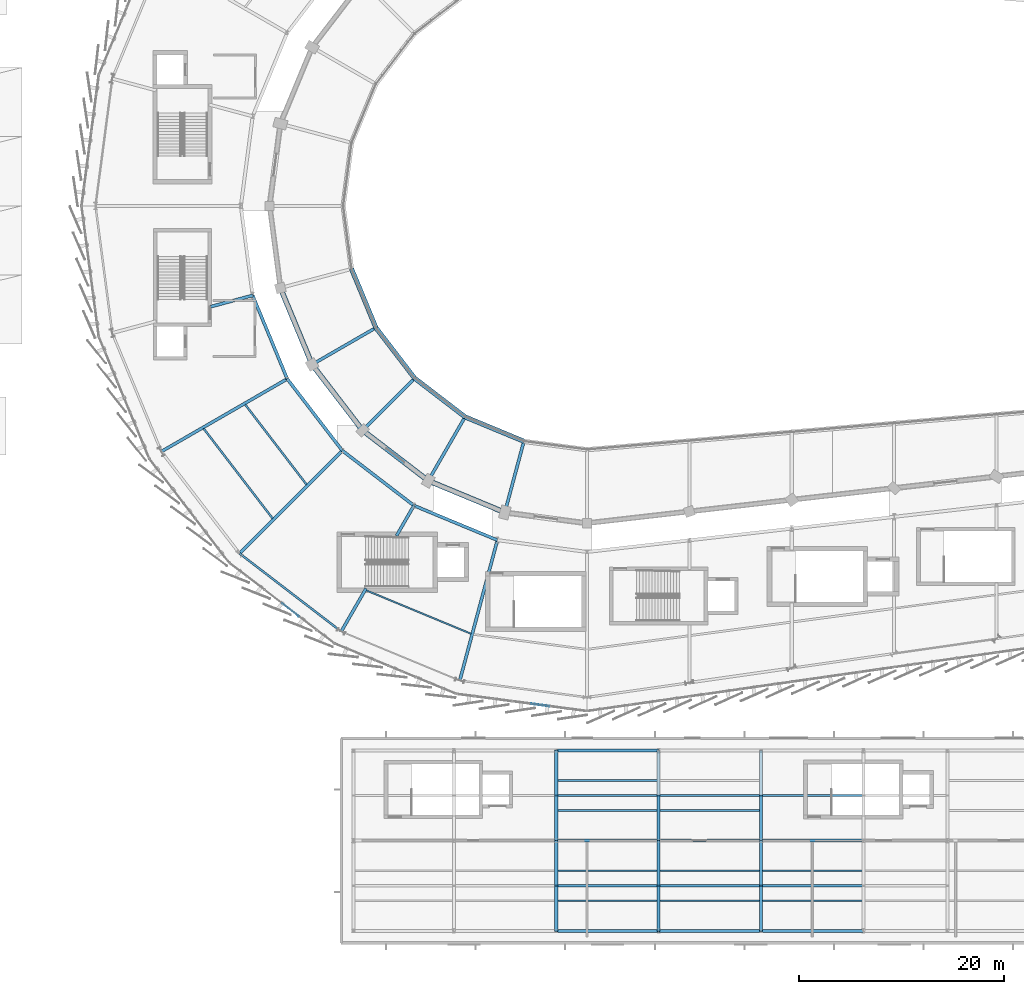
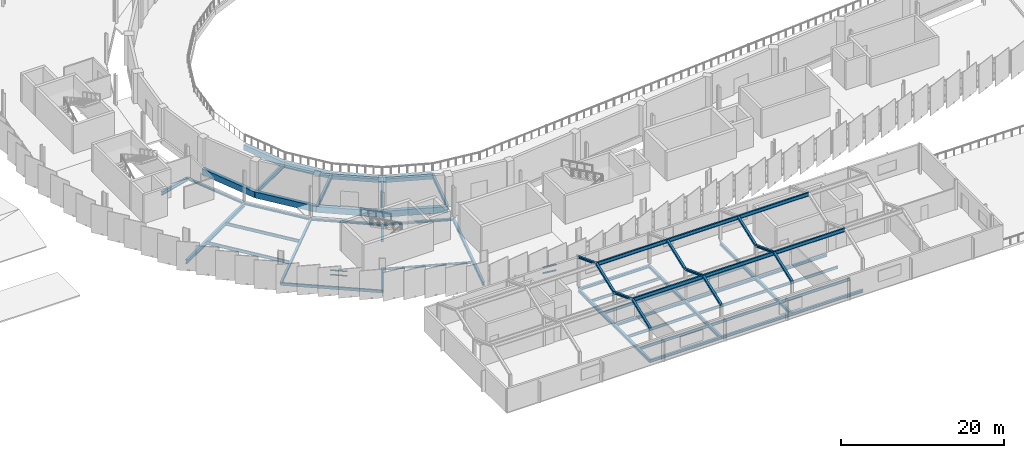
# One storey, part 19 of 87: 64 beams, 4 members, 2 elements without a shape of their own.
"""IFC4 building model written with IfcOpenShell, lengths in metres."""

import ifcopenshell
import ifcopenshell.guid

model = None  # the IFC model being written
_history = None  # IfcOwnerHistory: only IFC2X3 demands one
_inside = {}  # id of a spatial element -> (the spatial element, [elements in it])
_under = {}  # id of a project, library or spatial element -> (it, [spatial elements below it])
_declared = {}  # id of a project -> (the project, [libraries it declares])
_typed = {}  # id of a type object -> (the type object, [elements of that type])
_made_of = {}  # id of a material, layer set ... -> (it, [elements and type objects made of it])


def new_model(schema):
    """Start an empty IFC model of exactly this schema.

    Asked for "IFC4X3", IfcOpenShell would pick the latest addendum, in which some entities
    have other attributes; the version numbers below select the first issue.
    IFC2X3 requires an IfcOwnerHistory on every rooted entity: one is made here for all.
    """
    global model, _history
    if schema == "IFC4X3":
        model = ifcopenshell.file(schema_version=(4, 3, 0, 0))
    else:
        model = ifcopenshell.file(schema=schema)
    _inside.clear()
    _under.clear()
    _declared.clear()
    _typed.clear()
    _made_of.clear()
    _history = None
    if model.schema == "IFC2X3":
        org = make("IfcOrganization", Name="unknown")
        user = make(
            "IfcPersonAndOrganization",
            ThePerson=make("IfcPerson", FamilyName="unknown"),
            TheOrganization=org,
        )
        app = make(
            "IfcApplication",
            ApplicationDeveloper=org,
            Version="unknown",
            ApplicationFullName="unknown",
            ApplicationIdentifier="unknown",
        )
        _history = make(
            "IfcOwnerHistory",
            OwningUser=user,
            OwningApplication=app,
            ChangeAction="ADDED",
            CreationDate=0,
        )
    return model


def make(cls, **values):
    """One entity of the class cls with the attributes given. An attribute that is None is left unset."""
    return model.create_entity(
        cls, **{name: value for name, value in values.items() if value is not None}
    )


def rooted(cls, **values):
    """An entity with a GlobalId (a new one), such as an element, a storey or a relation."""
    return make(cls, GlobalId=ifcopenshell.guid.new(), OwnerHistory=_history, **values)


def si_unit(unit_type, name, prefix=None):
    """IfcSIUnit, for example si_unit("LENGTHUNIT", "METRE", prefix="MILLI")."""
    return make("IfcSIUnit", UnitType=unit_type, Prefix=prefix, Name=name)


def assignment(units):
    """IfcUnitAssignment: the units of a project."""
    return None if units is None else make("IfcUnitAssignment", Units=units)


def point(xyz):
    """IfcCartesianPoint."""
    return None if xyz is None else make("IfcCartesianPoint", Coordinates=xyz)


def direction(xyz):
    """IfcDirection."""
    return None if xyz is None else make("IfcDirection", DirectionRatios=xyz)


def frame(location, z_axis=None, x_axis=None):
    """IfcAxis2Placement3D, a coordinate frame: its origin and axes. An axis left out is left unset."""
    return make(
        "IfcAxis2Placement3D",
        Location=point(location),
        Axis=direction(z_axis),
        RefDirection=direction(x_axis),
    )


def frame_2d(location, x_axis=None):
    """IfcAxis2Placement2D, a coordinate frame in the plane: its origin and x axis."""
    return make(
        "IfcAxis2Placement2D", Location=point(location), RefDirection=direction(x_axis)
    )


def origin():
    """The frame at (0, 0, 0) with its axes left unset."""
    return frame((0.0, 0.0, 0.0))


def origin_2d():
    """The frame at (0, 0) in the plane with its x axis left unset."""
    return frame_2d((0.0, 0.0))


def place(relative_to, where):
    """IfcLocalPlacement: puts the frame where relative to a parent placement (None: the world)."""
    return make(
        "IfcLocalPlacement", PlacementRelTo=relative_to, RelativePlacement=where
    )


def context(
    kind, dimensions, precision=None, world=None, true_north=None, identifier=None
):
    """IfcGeometricRepresentationContext, for example the 3D "Model" context."""
    return make(
        "IfcGeometricRepresentationContext",
        ContextIdentifier=identifier,
        ContextType=kind,
        CoordinateSpaceDimension=dimensions,
        Precision=precision,
        WorldCoordinateSystem=world,
        TrueNorth=true_north,
    )


def subcontext(parent, identifier, kind, view, scale=None):
    """IfcGeometricRepresentationSubContext, for example "Body" below "Model"."""
    return make(
        "IfcGeometricRepresentationSubContext",
        ContextIdentifier=identifier,
        ContextType=kind,
        ParentContext=parent,
        TargetScale=scale,
        TargetView=view,
    )


def project(units=None, contexts=None):
    """IfcProject with its units and contexts."""
    return rooted(
        "IfcProject",
        Name="project",
        RepresentationContexts=contexts,
        UnitsInContext=assignment(units),
    )


def spatial(cls, under=None, at=None, **own):
    """A site, building, storey or space (cls), placed at a placement, below another one or the project."""
    s = rooted(cls, ObjectPlacement=at, **own)
    if under is not None:
        _under.setdefault(under.id(), (under, []))[1].append(s)
    return s


def profile(cls, at=None, kind="AREA", **sizes):
    """A parametric profile (cls). Its sizes go by their IFC names, for example OverallWidth=200.0."""
    return make(cls, ProfileType=kind, Position=at, **sizes)


def rectangle(**sizes):
    """IfcRectangleProfileDef."""
    return profile("IfcRectangleProfileDef", **sizes)


def hollow_rectangle(**sizes):
    """IfcRectangleHollowProfileDef."""
    return profile("IfcRectangleHollowProfileDef", **sizes)


def i_section(**sizes):
    """IfcIShapeProfileDef."""
    return profile("IfcIShapeProfileDef", **sizes)


def extrude(swept, where, along, depth):
    """IfcExtrudedAreaSolid: the profile swept, set in the frame where, extruded along a direction by depth."""
    return make(
        "IfcExtrudedAreaSolid",
        SweptArea=swept,
        Position=where,
        ExtrudedDirection=direction(along),
        Depth=depth,
    )


def shape(context_of_items, identifier, shape_type, items):
    """IfcShapeRepresentation: the items that make up one representation, for example the "Body"."""
    return make(
        "IfcShapeRepresentation",
        ContextOfItems=context_of_items,
        RepresentationIdentifier=identifier,
        RepresentationType=shape_type,
        Items=items,
    )


def material(Name=None, Category=None):
    """IfcMaterial."""
    return make("IfcMaterial", Name=Name, Category=Category)


def layer(
    of_material, thickness, ventilated=None, Name=None, Category=None, Priority=None
):
    """IfcMaterialLayer: one layer of a wall or slab, of a material (None: an air gap)."""
    return make(
        "IfcMaterialLayer",
        Material=of_material,
        LayerThickness=thickness,
        IsVentilated=ventilated,
        Name=Name,
        Category=Category,
        Priority=Priority,
    )


def layer_set(layers, Name=None):
    """IfcMaterialLayerSet."""
    return make("IfcMaterialLayerSet", MaterialLayers=layers, LayerSetName=Name)


def material_profile(
    of_material, cross_section, Name=None, Category=None, Priority=None
):
    """IfcMaterialProfile: a cross section and its material."""
    return make(
        "IfcMaterialProfile",
        Name=Name,
        Material=of_material,
        Profile=cross_section,
        Priority=Priority,
        Category=Category,
    )


def profile_set(profiles, Name=None, composite=None):
    """IfcMaterialProfileSet."""
    return make(
        "IfcMaterialProfileSet",
        Name=Name,
        MaterialProfiles=profiles,
        CompositeProfile=composite,
    )


def made_of(thing, what):
    """Note that an element or type object is made of a material, layer set ...; save() writes the relation."""
    if what is not None:
        _made_of.setdefault(what.id(), (what, []))[1].append(thing)
    return thing


def type_object(cls, material=None, **own):
    """A type object (cls), such as IfcWallType, which elements share."""
    return made_of(rooted(cls, **own), material)


def element(
    cls,
    number,
    at=None,
    inside=None,
    cuts=None,
    type_object=None,
    material=None,
    context=None,
    identifier="Body",
    shape_type=None,
    held_by="IfcProductDefinitionShape",
    body=None,
    shapes=None,
    **own,
):
    """One element of the class cls, such as IfcWall. Its Tag is "e" and its number.

    at: its placement. inside: the storey or other place that contains it. cuts: it is an
    opening in that element (IfcRelVoidsElement). A single representation is given by context,
    identifier, shape_type and body (its items); several are given by shapes. held_by: the class
    of the entity that holds the representations. save() writes the other relations.
    """
    e = rooted(cls, Tag="e%d" % number, ObjectPlacement=at, **own)
    if body is not None:
        shapes = [shape(context, identifier, shape_type, body)]
    if shapes is not None:
        e.Representation = make(held_by, Representations=shapes)
    if inside is not None:
        _inside.setdefault(inside.id(), (inside, []))[1].append(e)
    if cuts is not None:
        rooted(
            "IfcRelVoidsElement", RelatingBuildingElement=cuts, RelatedOpeningElement=e
        )
    if type_object is not None:
        _typed.setdefault(type_object.id(), (type_object, []))[1].append(e)
    return made_of(e, material)


def aggregate(whole, parts):
    """IfcRelAggregates: a whole, such as a stair, and the parts it consists of."""
    return rooted("IfcRelAggregates", RelatingObject=whole, RelatedObjects=parts)


def save(model, path):
    """Write the relations noted so far, then the file.

    IfcRelAggregates (storeys below a building ...), IfcRelContainedInSpatialStructure (elements
    in a storey), IfcRelDefinesByType, IfcRelAssociatesMaterial and IfcRelDeclares: one each for
    every whole, place, type object, material and project.
    """
    for whole, parts in _under.values():
        aggregate(whole, parts)
    for where, things in _inside.values():
        rooted(
            "IfcRelContainedInSpatialStructure",
            RelatedElements=things,
            RelatingStructure=where,
        )
    for kind, things in _typed.values():
        rooted("IfcRelDefinesByType", RelatedObjects=things, RelatingType=kind)
    for what, things in _made_of.values():
        rooted("IfcRelAssociatesMaterial", RelatedObjects=things, RelatingMaterial=what)
    for by, libraries in _declared.values():
        rooted("IfcRelDeclares", RelatingContext=by, RelatedDefinitions=libraries)
    model.write(path)


model = new_model("IFC4")

# Units and contexts
model_context = context("Model", 3, precision=1e-05, world=origin(), true_north=direction((0.0, 1.0)))
body_context = subcontext(model_context, "Body", "Model", "MODEL_VIEW")
ifc_project = project(units=[si_unit("LENGTHUNIT", "METRE"), si_unit("AREAUNIT", "SQUARE_METRE"), si_unit("VOLUMEUNIT", "CUBIC_METRE"), si_unit("PLANEANGLEUNIT", "RADIAN"), si_unit("MASSUNIT", "GRAM", prefix="KILO")], contexts=[model_context])

# Site, building, storey
site_placement = place(None, origin())
site = spatial("IfcSite", under=ifc_project, at=site_placement, CompositionType="ELEMENT")
building_placement = place(site_placement, origin())
building = spatial("IfcBuilding", under=site, at=building_placement, Name="Sohan Crest Arena", CompositionType="ELEMENT")
storey_placement = place(building_placement, frame((0.0, 0.0, 18.0)))
storey = spatial("IfcBuildingStorey", under=building, at=storey_placement, Name="L04", CompositionType="ELEMENT", Elevation=18.0)

# Curtain wall, members
ifc_material_1 = material(Name="Thermally broken anodised aluminium", Category="aluminium")
ifc_layer_1 = layer(ifc_material_1, 0.239990234375, Name="Thermally broken anodised aluminium")
ifc_layer_set_1 = layer_set([ifc_layer_1], Name="Thermally broken anodised aluminium")
curtain_wall_type_1 = type_object("IfcCurtainWallType", Name="ARC-CW04", PredefinedType="NOTDEFINED", material=ifc_layer_set_1)
curtain_wall_1_placement = place(storey_placement, origin())
curtain_wall_1 = element("IfcCurtainWall", 1, at=curtain_wall_1_placement, inside=storey, type_object=curtain_wall_type_1, Name="Unitised curtain wall CW-121", PredefinedType="NOTDEFINED")
ifc_material_profile_1 = material_profile(ifc_material_1, rectangle(XDim=0.06005859375, YDim=0.1201171875, at=origin_2d()), Name="ALU-TRAN 60x120")
ifc_profile_set_1 = profile_set([ifc_material_profile_1], Name="Thermally broken anodised aluminium")
member_type_1 = type_object("IfcMemberType", Name="ARC-CW-TR01", PredefinedType="USERDEFINED", material=ifc_profile_set_1)
member_1_placement = place(storey_placement, frame((68.240234375, 39.163330078125, 2.419921875), z_axis=(0.793381749206, -0.608724404001, 0.0), x_axis=(0.608724404001, 0.793381749206, 0.0)))
member_1 = element("IfcMember", 2, at=member_1_placement, type_object=member_type_1, Name="CW-121 transom 4.3", ObjectType="TRANSOM", PredefinedType="USERDEFINED", context=body_context, shape_type="SweptSolid", body=[
    extrude(rectangle(XDim=0.06005859375, YDim=0.1201171875, at=origin_2d()), origin(), (0.0, 0.0, 1.0), 2.082275390625),
])
member_2_placement = place(storey_placement, frame((68.240234375, 39.163330078125, 3.090087890625), z_axis=(0.793381749206, -0.608724404001, 0.0), x_axis=(0.608724404001, 0.793381749206, 0.0)))
member_2 = element("IfcMember", 3, at=member_2_placement, type_object=member_type_1, Name="CW-121 transom 4.4", ObjectType="TRANSOM", PredefinedType="USERDEFINED", context=body_context, shape_type="SweptSolid", body=[
    extrude(rectangle(XDim=0.06005859375, YDim=0.1201171875, at=origin_2d()), origin(), (0.0, 0.0, 1.0), 2.082275390625),
])
aggregate(curtain_wall_1, [member_1, member_2])

ifc_layer_2 = layer(ifc_material_1, 0.2099609375, Name="Thermally broken anodised aluminium")
ifc_layer_set_2 = layer_set([ifc_layer_2], Name="Thermally broken anodised aluminium")
curtain_wall_type_2 = type_object("IfcCurtainWallType", Name="ARC-CW06", PredefinedType="NOTDEFINED", material=ifc_layer_set_2)
curtain_wall_2_placement = place(storey_placement, origin())
curtain_wall_2 = element("IfcCurtainWall", 4, at=curtain_wall_2_placement, inside=storey, type_object=curtain_wall_type_2, Name="Unitised curtain wall CW-123", PredefinedType="NOTDEFINED")
ifc_material_profile_2 = material_profile(ifc_material_1, rectangle(XDim=0.070068359375, YDim=0.14990234375, at=origin_2d()), Name="ALU-TRAN 70x150")
ifc_profile_set_2 = profile_set([ifc_material_profile_2], Name="Thermally broken anodised aluminium")
member_type_2 = type_object("IfcMemberType", Name="ARC-CW-TR03", PredefinedType="USERDEFINED", material=ifc_profile_set_2)
member_3_placement = place(storey_placement, frame((92.56298828125, 29.365966796875, 0.034912109375), z_axis=(0.99144393814, -0.130533204687, 0.0), x_axis=(0.130533204687, 0.99144393814, 0.0)))
member_3 = element("IfcMember", 5, at=member_3_placement, type_object=member_type_2, Name="CW-123 transom 5.1", ObjectType="TRANSOM", PredefinedType="USERDEFINED", context=body_context, shape_type="SweptSolid", body=[
    extrude(rectangle(XDim=0.070068359375, YDim=0.14990234375, at=origin_2d()), origin(), (0.0, 0.0, 1.0), 1.765625),
])
member_4_placement = place(storey_placement, frame((92.56298828125, 29.365966796875, 0.89990234375), z_axis=(0.99144393814, -0.130533204687, 0.0), x_axis=(0.130533204687, 0.99144393814, 0.0)))
member_4 = element("IfcMember", 6, at=member_4_placement, type_object=member_type_2, Name="CW-123 transom 5.2", ObjectType="TRANSOM", PredefinedType="USERDEFINED", context=body_context, shape_type="SweptSolid", body=[
    extrude(rectangle(XDim=0.070068359375, YDim=0.14990234375, at=origin_2d()), origin(), (0.0, 0.0, 1.0), 1.765625),
])
aggregate(curtain_wall_2, [member_3, member_4])

# Beams
ifc_material_2 = material(Name="Steel S355", Category="steel")
ifc_material_profile_3 = material_profile(ifc_material_2, i_section(OverallWidth=0.14990234375, OverallDepth=0.300048828125, WebThickness=0.007080078125, FlangeThickness=0.0107421875, at=origin_2d()), Name="IPE 300")
ifc_profile_set_3 = profile_set([ifc_material_profile_3], Name="Steel S355")
beam_type_1 = type_object("IfcBeamType", Name="STR-BM-B01", PredefinedType="JOIST", material=ifc_profile_set_3)
beam_1_placement = place(storey_placement, frame((76.445068359375, 40.447021484375, -0.39990234375), z_axis=(0.923874316241, -0.382696025312, 0.0), x_axis=(0.382696025312, 0.923874316241, 0.0)))
element("IfcBeam", 7, at=beam_1_placement, inside=storey, type_object=beam_type_1, Name="Structural beam J-L04-1596", PredefinedType="JOIST", context=body_context, shape_type="SweptSolid", body=[
    extrude(i_section(OverallWidth=0.14990234375, OverallDepth=0.300048828125, WebThickness=0.007080078125, FlangeThickness=0.0107421875, at=origin_2d()), origin(), (0.0, 0.0, 1.0), 11.0869140625),
])
ifc_material_profile_4 = material_profile(ifc_material_2, i_section(OverallWidth=0.179931640625, OverallDepth=0.39990234375, WebThickness=0.008544921875, FlangeThickness=0.013427734375, at=origin_2d()), Name="IPE 400")
ifc_profile_set_4 = profile_set([ifc_material_profile_4], Name="Steel S355")
beam_type_2 = type_object("IfcBeamType", Name="STR-BM-B03", PredefinedType="JOIST", material=ifc_profile_set_4)
for number, where, z_axis, x_axis, name in (
    (8, (95.110107421875, 10.133056640625, -0.449951171875), (1.0, 0.0, 0.0), (0.0, 1.0, 0.0), "Structural beam J-L04-2799"),
    (9, (95.110107421875, 13.06689453125, -0.449951171875), (1.0, 0.0, 0.0), (0.0, 1.0, 0.0), "Structural beam J-L04-2800"),
    (10, (105.110107421875, 10.133056640625, -0.449951171875), (1.0, 0.0, 0.0), (0.0, 1.0, 0.0), "Structural beam J-L04-2802"),
    (11, (105.110107421875, 13.06689453125, -0.449951171875), (1.0, 0.0, 0.0), (0.0, 1.0, 0.0), "Structural beam J-L04-2803"),
    (12, (115.110107421875, 10.133056640625, -0.449951171875), (1.0, 0.0, 0.0), (0.0, 1.0, 0.0), "Structural beam J-L04-2805"),
    (13, (115.110107421875, 13.06689453125, -0.449951171875), (1.0, 0.0, 0.0), (0.0, 1.0, 0.0), "Structural beam J-L04-2806"),
    (14, (95.110107421875, 18.93310546875, -0.449951171875), (1.0, 0.0, 0.0), (0.0, 1.0, 0.0), "Structural beam J-L04-2822"),
    (15, (95.110107421875, 21.866943359375, -0.449951171875), (1.0, 0.0, 0.0), (0.0, 1.0, 0.0), "Structural beam J-L04-2823"),
    (16, (105.110107421875, 18.93310546875, -0.449951171875), (1.0, 0.0, 0.0), (0.0, 1.0, 0.0), "Structural beam J-L04-2825"),
):
    element("IfcBeam", number, at=place(storey_placement, frame(where, z_axis=z_axis, x_axis=x_axis)), inside=storey, type_object=beam_type_2, Name=name, PredefinedType="JOIST", context=body_context, shape_type="SweptSolid", body=[
        extrude(i_section(OverallWidth=0.179931640625, OverallDepth=0.39990234375, WebThickness=0.008544921875, FlangeThickness=0.013427734375, at=origin_2d()), origin(), (0.0, 0.0, 1.0), 9.77978515625),
    ])
ifc_material_profile_5 = material_profile(ifc_material_2, i_section(OverallWidth=0.18994140625, OverallDepth=0.449951171875, WebThickness=0.009521484375, FlangeThickness=0.0146484375, at=origin_2d()), Name="IPE 450")
ifc_profile_set_5 = profile_set([ifc_material_profile_5], Name="Steel S355")
beam_type_3 = type_object("IfcBeamType", Name="STR-BM-B04", PredefinedType="JOIST", material=ifc_profile_set_5)
beam_2_placement = place(storey_placement, frame((64.614013671875, 58.59912109375, -0.47509765625), z_axis=(0.608739091659, -0.793370479843, 0.0), x_axis=(0.793370479843, 0.608739091659, 0.0)))
element("IfcBeam", 17, at=beam_2_placement, inside=storey, type_object=beam_type_3, Name="Structural beam J-L04-1587", PredefinedType="JOIST", context=body_context, shape_type="SweptSolid", body=[
    extrude(i_section(OverallWidth=0.18994140625, OverallDepth=0.449951171875, WebThickness=0.009521484375, FlangeThickness=0.0146484375, at=origin_2d()), origin(), (0.0, 0.0, 1.0), 9.864501953125),
])
beam_3_placement = place(storey_placement, frame((60.555908203125, 56.256103515625, -0.47509765625), z_axis=(0.608788813613, -0.793332326594, 0.0), x_axis=(0.793332326594, 0.608788813613, 0.0)))
element("IfcBeam", 18, at=beam_3_placement, inside=storey, type_object=beam_type_3, Name="Structural beam J-L04-1588", PredefinedType="JOIST", context=body_context, shape_type="SweptSolid", body=[
    extrude(i_section(OverallWidth=0.18994140625, OverallDepth=0.449951171875, WebThickness=0.009521484375, FlangeThickness=0.0146484375, at=origin_2d()), origin(), (0.0, 0.0, 1.0), 11.087646484375),
])
ifc_material_profile_6 = material_profile(ifc_material_2, i_section(OverallWidth=0.2099609375, OverallDepth=0.550048828125, WebThickness=0.010986328125, FlangeThickness=0.01708984375, at=origin_2d()), Name="IPE 550")
ifc_profile_set_6 = profile_set([ifc_material_profile_6], Name="Steel S355")
beam_type_4 = type_object("IfcBeamType", Name="STR-BM-B06", PredefinedType="BEAM", material=ifc_profile_set_6)
for number, where, z_axis, x_axis, name in (
    (19, (95.0, 11.60009765625, 5.988037109375), (1.0, 0.0, 0.0), (0.0, 1.0, 0.0), "Structural beam BVP-L04-3211"),
    (20, (105.0, 11.60009765625, 5.988037109375), (1.0, 0.0, 0.0), (0.0, 1.0, 0.0), "Structural beam BVP-L04-3212"),
    (21, (115.0, 11.60009765625, 5.988037109375), (1.0, 0.0, 0.0), (0.0, 1.0, 0.0), "Structural beam BVP-L04-3213"),
    (22, (95.0, 20.39990234375, 5.988037109375), (1.0, 0.0, 0.0), (0.0, 1.0, 0.0), "Structural beam BVP-L04-3231"),
    (23, (105.0, 20.39990234375, 5.988037109375), (1.0, 0.0, 0.0), (0.0, 1.0, 0.0), "Structural beam BVP-L04-3232"),
    (24, (115.0, 20.39990234375, 5.988037109375), (1.0, 0.0, 0.0), (0.0, 1.0, 0.0), "Structural beam BVP-L04-3233"),
):
    element("IfcBeam", number, at=place(storey_placement, frame(where, z_axis=z_axis, x_axis=x_axis)), inside=storey, type_object=beam_type_4, Name=name, PredefinedType="BEAM", context=body_context, shape_type="SweptSolid", body=[
        extrude(i_section(OverallWidth=0.2099609375, OverallDepth=0.550048828125, WebThickness=0.010986328125, FlangeThickness=0.01708984375, at=origin_2d()), origin(), (0.0, 0.0, 1.0), 10.0),
    ])
ifc_material_profile_7 = material_profile(ifc_material_2, i_section(OverallWidth=0.300048828125, OverallDepth=0.2900390625, WebThickness=0.008544921875, FlangeThickness=0.013916015625, at=origin_2d()), Name="HEA 300")
ifc_profile_set_7 = profile_set([ifc_material_profile_7], Name="Steel S355")
beam_type_5 = type_object("IfcBeamType", Name="STR-BM-B08", PredefinedType="BEAM", material=ifc_profile_set_7)
beam_4_placement = place(storey_placement, frame((95.0, 7.199951171875, 4.419921875), z_axis=(0.0, 0.93562113017, 0.35300580842), x_axis=(-1.0, 0.0, 0.0)))
element("IfcBeam", 25, at=beam_4_placement, inside=storey, type_object=beam_type_5, Name="Structural beam BVA-L04-3199", PredefinedType="BEAM", context=body_context, shape_type="SweptSolid", body=[
    extrude(i_section(OverallWidth=0.300048828125, OverallDepth=0.2900390625, WebThickness=0.008544921875, FlangeThickness=0.013916015625, at=origin_2d()), origin(), (0.0, 0.0, 1.0), 4.702880859375),
])
beam_5_placement = place(storey_placement, frame((95.0, 11.60009765625, 6.080078125), z_axis=(0.0, 0.935614660707, -0.353022954878), x_axis=(-1.0, 0.0, 0.0)))
element("IfcBeam", 26, at=beam_5_placement, inside=storey, type_object=beam_type_5, Name="Structural beam BVA-L04-3200", PredefinedType="BEAM", context=body_context, shape_type="SweptSolid", body=[
    extrude(i_section(OverallWidth=0.300048828125, OverallDepth=0.2900390625, WebThickness=0.008544921875, FlangeThickness=0.013916015625, at=origin_2d()), origin(), (0.0, 0.0, 1.0), 4.70263671875),
])
beam_6_placement = place(storey_placement, frame((105.0, 7.199951171875, 4.419921875), z_axis=(0.0, 0.93562113017, 0.35300580842), x_axis=(-1.0, 0.0, 0.0)))
element("IfcBeam", 27, at=beam_6_placement, inside=storey, type_object=beam_type_5, Name="Structural beam BVA-L04-3201", PredefinedType="BEAM", context=body_context, shape_type="SweptSolid", body=[
    extrude(i_section(OverallWidth=0.300048828125, OverallDepth=0.2900390625, WebThickness=0.008544921875, FlangeThickness=0.013916015625, at=origin_2d()), origin(), (0.0, 0.0, 1.0), 4.702880859375),
])
beam_7_placement = place(storey_placement, frame((105.0, 11.60009765625, 6.080078125), z_axis=(0.0, 0.935614660707, -0.353022954878), x_axis=(-1.0, 0.0, 0.0)))
element("IfcBeam", 28, at=beam_7_placement, inside=storey, type_object=beam_type_5, Name="Structural beam BVA-L04-3202", PredefinedType="BEAM", context=body_context, shape_type="SweptSolid", body=[
    extrude(i_section(OverallWidth=0.300048828125, OverallDepth=0.2900390625, WebThickness=0.008544921875, FlangeThickness=0.013916015625, at=origin_2d()), origin(), (0.0, 0.0, 1.0), 4.70263671875),
])
beam_8_placement = place(storey_placement, frame((115.0, 7.199951171875, 4.419921875), z_axis=(0.0, 0.93562113017, 0.35300580842), x_axis=(-1.0, 0.0, 0.0)))
element("IfcBeam", 29, at=beam_8_placement, inside=storey, type_object=beam_type_5, Name="Structural beam BVA-L04-3203", PredefinedType="BEAM", context=body_context, shape_type="SweptSolid", body=[
    extrude(i_section(OverallWidth=0.300048828125, OverallDepth=0.2900390625, WebThickness=0.008544921875, FlangeThickness=0.013916015625, at=origin_2d()), origin(), (0.0, 0.0, 1.0), 4.702880859375),
])
for number, where, z_axis, x_axis, name in (
    (30, (115.0, 11.60009765625, 6.080078125), (0.0, 0.935614660707, -0.353022954878), (-1.0, 0.0, 0.0), "Structural beam BVA-L04-3204"),
    (31, (95.0, 16.0, 4.419921875), (0.0, 0.935614660707, 0.353022954878), (-1.0, 0.0, 0.0), "Structural beam BVA-L04-3219"),
):
    element("IfcBeam", number, at=place(storey_placement, frame(where, z_axis=z_axis, x_axis=x_axis)), inside=storey, type_object=beam_type_5, Name=name, PredefinedType="BEAM", context=body_context, shape_type="SweptSolid", body=[
        extrude(i_section(OverallWidth=0.300048828125, OverallDepth=0.2900390625, WebThickness=0.008544921875, FlangeThickness=0.013916015625, at=origin_2d()), origin(), (0.0, 0.0, 1.0), 4.70263671875),
    ])
beam_9_placement = place(storey_placement, frame((95.0, 20.39990234375, 6.080078125), z_axis=(0.0, 0.93562113017, -0.35300580842), x_axis=(-1.0, 0.0, 0.0)))
element("IfcBeam", 32, at=beam_9_placement, inside=storey, type_object=beam_type_5, Name="Structural beam BVA-L04-3220", PredefinedType="BEAM", context=body_context, shape_type="SweptSolid", body=[
    extrude(i_section(OverallWidth=0.300048828125, OverallDepth=0.2900390625, WebThickness=0.008544921875, FlangeThickness=0.013916015625, at=origin_2d()), origin(), (0.0, 0.0, 1.0), 4.702880859375),
])
for number, where, z_axis, x_axis, name in (
    (33, (105.0, 16.0, 4.419921875), (0.0, 0.935614660707, 0.353022954878), (-1.0, 0.0, 0.0), "Structural beam BVA-L04-3221"),
    (34, (115.0, 16.0, 4.419921875), (0.0, 0.935614660707, 0.353022954878), (-1.0, 0.0, 0.0), "Structural beam BVA-L04-3223"),
):
    element("IfcBeam", number, at=place(storey_placement, frame(where, z_axis=z_axis, x_axis=x_axis)), inside=storey, type_object=beam_type_5, Name=name, PredefinedType="BEAM", context=body_context, shape_type="SweptSolid", body=[
        extrude(i_section(OverallWidth=0.300048828125, OverallDepth=0.2900390625, WebThickness=0.008544921875, FlangeThickness=0.013916015625, at=origin_2d()), origin(), (0.0, 0.0, 1.0), 4.70263671875),
    ])
ifc_material_profile_8 = material_profile(ifc_material_2, i_section(OverallWidth=0.300048828125, OverallDepth=0.389892578125, WebThickness=0.010986328125, FlangeThickness=0.01904296875, at=origin_2d()), Name="HEA 400")
ifc_profile_set_8 = profile_set([ifc_material_profile_8], Name="Steel S355")
beam_type_6 = type_object("IfcBeamType", Name="STR-BM-B09", PredefinedType="BEAM", material=ifc_profile_set_8)
for number, where, z_axis, x_axis, name in (
    (35, (95.0, 7.199951171875, -0.445068359375), (1.0, 0.0, 0.0), (0.0, 1.0, 0.0), "Structural beam G-L04-2798"),
    (36, (105.0, 7.199951171875, -0.445068359375), (1.0, 0.0, 0.0), (0.0, 1.0, 0.0), "Structural beam G-L04-2801"),
    (37, (115.0, 7.199951171875, -0.445068359375), (1.0, 0.0, 0.0), (0.0, 1.0, 0.0), "Structural beam G-L04-2804"),
    (38, (95.0, 16.0, -0.445068359375), (1.0, 0.0, 0.0), (0.0, 1.0, 0.0), "Structural beam G-L04-2821"),
    (39, (105.0, 16.0, -0.445068359375), (1.0, 0.0, 0.0), (0.0, 1.0, 0.0), "Structural beam G-L04-2824"),
    (40, (115.0, 16.0, -0.445068359375), (1.0, 0.0, 0.0), (0.0, 1.0, 0.0), "Structural beam G-L04-2827"),
    (41, (95.0, 24.800048828125, -0.445068359375), (1.0, 0.0, 0.0), (0.0, 1.0, 0.0), "Structural beam G-L04-2840"),
):
    element("IfcBeam", number, at=place(storey_placement, frame(where, z_axis=z_axis, x_axis=x_axis)), inside=storey, type_object=beam_type_6, Name=name, PredefinedType="BEAM", context=body_context, shape_type="SweptSolid", body=[
        extrude(i_section(OverallWidth=0.300048828125, OverallDepth=0.389892578125, WebThickness=0.010986328125, FlangeThickness=0.01904296875, at=origin_2d()), origin(), (0.0, 0.0, 1.0), 10.0),
    ])
ifc_material_profile_9 = material_profile(ifc_material_2, i_section(OverallWidth=0.300048828125, OverallDepth=0.489990234375, WebThickness=0.011962890625, FlangeThickness=0.02294921875, at=origin_2d()), Name="HEA 500")
ifc_profile_set_9 = profile_set([ifc_material_profile_9], Name="Steel S355")
beam_type_7 = type_object("IfcBeamType", Name="STR-BM-B10", PredefinedType="BEAM", material=ifc_profile_set_9)
for number, where, z_axis, x_axis, name in (
    (42, (95.0, 7.199951171875, -0.4951171875), (0.0, 1.0, 0.0), (-1.0, 0.0, 0.0), "Structural beam G-L04-2775"),
    (43, (95.0, 16.0, -0.4951171875), (0.0, 1.0, 0.0), (-1.0, 0.0, 0.0), "Structural beam G-L04-2776"),
    (44, (105.0, 7.199951171875, -0.4951171875), (0.0, 1.0, 0.0), (-1.0, 0.0, 0.0), "Structural beam G-L04-2777"),
    (45, (105.0, 16.0, -0.4951171875), (0.0, 1.0, 0.0), (-1.0, 0.0, 0.0), "Structural beam G-L04-2778"),
    (46, (115.0, 7.199951171875, -0.4951171875), (0.0, 1.0, 0.0), (-1.0, 0.0, 0.0), "Structural beam G-L04-2779"),
    (47, (115.0, 16.0, -0.4951171875), (0.0, 1.0, 0.0), (-1.0, 0.0, 0.0), "Structural beam G-L04-2780"),
):
    element("IfcBeam", number, at=place(storey_placement, frame(where, z_axis=z_axis, x_axis=x_axis)), inside=storey, type_object=beam_type_7, Name=name, PredefinedType="BEAM", context=body_context, shape_type="SweptSolid", body=[
        extrude(i_section(OverallWidth=0.300048828125, OverallDepth=0.489990234375, WebThickness=0.011962890625, FlangeThickness=0.02294921875, at=origin_2d()), origin(), (0.0, 0.0, 1.0), 8.800048828125),
    ])
ifc_material_profile_10 = material_profile(ifc_material_2, i_section(OverallWidth=0.300048828125, OverallDepth=0.590087890625, WebThickness=0.012939453125, FlangeThickness=0.02490234375, at=origin_2d()), Name="HEA 600")
ifc_profile_set_10 = profile_set([ifc_material_profile_10], Name="Steel S355")
beam_type_8 = type_object("IfcBeamType", Name="STR-BM-B11", PredefinedType="BEAM", material=ifc_profile_set_10)
beam_10_placement = place(storey_placement, frame((77.388916015625, 66.10009765625, -0.544921875), z_axis=(-0.866035395735, -0.499982693035, 0.0), x_axis=(0.499982693035, -0.866035395735, 0.0)))
element("IfcBeam", 48, at=beam_10_placement, inside=storey, type_object=beam_type_8, Name="Structural beam G-L04-0254", PredefinedType="BEAM", context=body_context, shape_type="SweptSolid", body=[
    extrude(i_section(OverallWidth=0.300048828125, OverallDepth=0.590087890625, WebThickness=0.012939453125, FlangeThickness=0.02490234375, at=origin_2d()), origin(), (0.0, 0.0, 1.0), 7.200439453125),
])
beam_11_placement = place(storey_placement, frame((81.1708984375, 61.1708984375, -0.544921875), z_axis=(-0.707106781187, -0.707106781187, 0.0), x_axis=(0.707106781187, -0.707106781187, 0.0)))
element("IfcBeam", 49, at=beam_11_placement, inside=storey, type_object=beam_type_8, Name="Structural beam G-L04-0276", PredefinedType="BEAM", context=body_context, shape_type="SweptSolid", body=[
    extrude(i_section(OverallWidth=0.300048828125, OverallDepth=0.590087890625, WebThickness=0.012939453125, FlangeThickness=0.02490234375, at=origin_2d()), origin(), (0.0, 0.0, 1.0), 7.199462890625),
])
beam_12_placement = place(storey_placement, frame((86.10009765625, 57.388916015625, -0.544921875), z_axis=(-0.499982693035, -0.866035395735, 0.0), x_axis=(0.866035395735, -0.499982693035, 0.0)))
element("IfcBeam", 50, at=beam_12_placement, inside=storey, type_object=beam_type_8, Name="Structural beam G-L04-0298", PredefinedType="BEAM", context=body_context, shape_type="SweptSolid", body=[
    extrude(i_section(OverallWidth=0.300048828125, OverallDepth=0.590087890625, WebThickness=0.012939453125, FlangeThickness=0.02490234375, at=origin_2d()), origin(), (0.0, 0.0, 1.0), 7.200439453125),
])
beam_13_placement = place(storey_placement, frame((91.840087890625, 55.010986328125, -0.544921875), z_axis=(-0.258745124417, -0.965945630245, 0.0), x_axis=(0.965945630245, -0.258745124417, 0.0)))
element("IfcBeam", 51, at=beam_13_placement, inside=storey, type_object=beam_type_8, Name="Structural beam G-L04-0320", PredefinedType="BEAM", context=body_context, shape_type="SweptSolid", body=[
    extrude(i_section(OverallWidth=0.300048828125, OverallDepth=0.590087890625, WebThickness=0.012939453125, FlangeThickness=0.02490234375, at=origin_2d()), origin(), (0.0, 0.0, 1.0), 7.2001953125),
])
beam_14_placement = place(storey_placement, frame((68.72802734375, 61.10009765625, -0.544921875), z_axis=(-0.86601465089, -0.500018624098, 0.0), x_axis=(0.500018624098, -0.86601465089, 0.0)))
element("IfcBeam", 52, at=beam_14_placement, inside=storey, type_object=beam_type_8, Name="Structural beam G-L04-1584", PredefinedType="BEAM", context=body_context, shape_type="SweptSolid", body=[
    extrude(i_section(OverallWidth=0.300048828125, OverallDepth=0.590087890625, WebThickness=0.012939453125, FlangeThickness=0.02490234375, at=origin_2d()), origin(), (0.0, 0.0, 1.0), 14.19970703125),
])
ifc_material_profile_11 = material_profile(ifc_material_2, i_section(OverallWidth=0.300048828125, OverallDepth=0.300048828125, WebThickness=0.010986328125, FlangeThickness=0.01904296875, at=origin_2d()), Name="HEB 300")
ifc_profile_set_11 = profile_set([ifc_material_profile_11], Name="Steel S355")
beam_type_9 = type_object("IfcBeamType", Name="STR-BM-B12", PredefinedType="BEAM", material=ifc_profile_set_11)
beam_15_placement = place(storey_placement, frame((65.35205078125, 69.251953125, -0.39990234375), z_axis=(0.38262224111, -0.923904876385, 0.0), x_axis=(0.923904876385, 0.38262224111, 0.0)))
element("IfcBeam", 53, at=beam_15_placement, inside=storey, type_object=beam_type_9, Name="Structural beam G-L04-1582", PredefinedType="BEAM", context=body_context, shape_type="SweptSolid", body=[
    extrude(i_section(OverallWidth=0.300048828125, OverallDepth=0.300048828125, WebThickness=0.010986328125, FlangeThickness=0.01904296875, at=origin_2d()), origin(), (0.0, 0.0, 1.0), 8.8232421875),
])
beam_16_placement = place(storey_placement, frame((68.72802734375, 61.10009765625, -0.39990234375), z_axis=(0.608817165336, -0.793310569192, 0.0), x_axis=(0.793310569192, 0.608817165336, 0.0)))
element("IfcBeam", 54, at=beam_16_placement, inside=storey, type_object=beam_type_9, Name="Structural beam G-L04-1585", PredefinedType="BEAM", context=body_context, shape_type="SweptSolid", body=[
    extrude(i_section(OverallWidth=0.300048828125, OverallDepth=0.300048828125, WebThickness=0.010986328125, FlangeThickness=0.01904296875, at=origin_2d()), origin(), (0.0, 0.0, 1.0), 8.82373046875),
])
beam_17_placement = place(storey_placement, frame((74.10009765625, 54.10009765625, -0.39990234375), z_axis=(-0.707106781187, -0.707106781187, 0.0), x_axis=(0.707106781187, -0.707106781187, 0.0)))
element("IfcBeam", 55, at=beam_17_placement, inside=storey, type_object=beam_type_9, Name="Structural beam G-L04-1589", PredefinedType="BEAM", context=body_context, shape_type="SweptSolid", body=[
    extrude(i_section(OverallWidth=0.300048828125, OverallDepth=0.300048828125, WebThickness=0.010986328125, FlangeThickness=0.01904296875, at=origin_2d()), origin(), (0.0, 0.0, 1.0), 14.2001953125),
])
beam_18_placement = place(storey_placement, frame((74.10009765625, 54.10009765625, -0.39990234375), z_axis=(0.793310569192, -0.608817165336, 0.0), x_axis=(0.608817165336, 0.793310569192, 0.0)))
element("IfcBeam", 56, at=beam_18_placement, inside=storey, type_object=beam_type_9, Name="Structural beam G-L04-1590", PredefinedType="BEAM", context=body_context, shape_type="SweptSolid", body=[
    extrude(i_section(OverallWidth=0.300048828125, OverallDepth=0.300048828125, WebThickness=0.010986328125, FlangeThickness=0.01904296875, at=origin_2d()), origin(), (0.0, 0.0, 1.0), 8.82373046875),
])
beam_19_placement = place(storey_placement, frame((81.10009765625, 48.72802734375, -0.39990234375), z_axis=(0.923904876385, -0.38262224111, 0.0), x_axis=(0.38262224111, 0.923904876385, 0.0)))
element("IfcBeam", 57, at=beam_19_placement, inside=storey, type_object=beam_type_9, Name="Structural beam G-L04-1594", PredefinedType="BEAM", context=body_context, shape_type="SweptSolid", body=[
    extrude(i_section(OverallWidth=0.300048828125, OverallDepth=0.300048828125, WebThickness=0.010986328125, FlangeThickness=0.01904296875, at=origin_2d()), origin(), (0.0, 0.0, 1.0), 8.8232421875),
])
ifc_material_profile_12 = material_profile(ifc_material_2, i_section(OverallWidth=0.300048828125, OverallDepth=0.39990234375, WebThickness=0.013427734375, FlangeThickness=0.02392578125, at=origin_2d()), Name="HEB 400")
ifc_profile_set_12 = profile_set([ifc_material_profile_12], Name="Steel S355")
beam_type_10 = type_object("IfcBeamType", Name="STR-BM-B13", PredefinedType="BEAM", material=ifc_profile_set_12)
beam_20_placement = place(storey_placement, frame((81.10009765625, 48.72802734375, -0.449951171875), z_axis=(-0.500026652407, -0.866010015463, 0.0), x_axis=(0.866010015463, -0.500026652407, 0.0)))
element("IfcBeam", 58, at=beam_20_placement, inside=storey, type_object=beam_type_10, Name="Structural beam G-L04-1592", PredefinedType="BEAM", context=body_context, shape_type="SweptSolid", body=[
    extrude(i_section(OverallWidth=0.300048828125, OverallDepth=0.39990234375, WebThickness=0.013427734375, FlangeThickness=0.02392578125, at=origin_2d()), origin(), (0.0, 0.0, 1.0), 3.404052734375),
])
beam_21_placement = place(storey_placement, frame((76.4189453125, 40.6201171875, -0.449951171875), z_axis=(-0.500047190239, -0.865998156773, 0.0), x_axis=(0.865998156773, -0.500047190239, 0.0)))
element("IfcBeam", 59, at=beam_21_placement, inside=storey, type_object=beam_type_10, Name="Structural beam G-L04-1593", PredefinedType="BEAM", context=body_context, shape_type="SweptSolid", body=[
    extrude(i_section(OverallWidth=0.300048828125, OverallDepth=0.39990234375, WebThickness=0.013427734375, FlangeThickness=0.02392578125, at=origin_2d()), origin(), (0.0, 0.0, 1.0), 4.83740234375),
])
ifc_material_profile_13 = material_profile(ifc_material_2, i_section(OverallWidth=0.300048828125, OverallDepth=0.5, WebThickness=0.014404296875, FlangeThickness=0.028076171875, at=origin_2d()), Name="HEB 500")
ifc_profile_set_13 = profile_set([ifc_material_profile_13], Name="Steel S355")
beam_type_11 = type_object("IfcBeamType", Name="STR-BM-B14", PredefinedType="BEAM", material=ifc_profile_set_13)
beam_22_placement = place(storey_placement, frame((65.35205078125, 69.251953125, -0.5), z_axis=(-0.965906157738, -0.258892437981, 0.0), x_axis=(0.258892437981, -0.965906157738, 0.0)))
element("IfcBeam", 60, at=beam_22_placement, inside=storey, type_object=beam_type_11, Name="Structural beam G-L04-1580", PredefinedType="BEAM", context=body_context, shape_type="SweptSolid", body=[
    extrude(i_section(OverallWidth=0.300048828125, OverallDepth=0.5, WebThickness=0.014404296875, FlangeThickness=0.028076171875, at=origin_2d()), origin(), (0.0, 0.0, 1.0), 4.4228515625),
])
beam_23_placement = place(storey_placement, frame((89.251953125, 45.35205078125, -0.5), z_axis=(-0.258808560729, -0.965928635508, 0.0), x_axis=(0.965928635508, -0.258808560729, 0.0)))
element("IfcBeam", 61, at=beam_23_placement, inside=storey, type_object=beam_type_11, Name="Structural beam G-L04-1597", PredefinedType="BEAM", context=body_context, shape_type="SweptSolid", body=[
    extrude(i_section(OverallWidth=0.300048828125, OverallDepth=0.5, WebThickness=0.014404296875, FlangeThickness=0.028076171875, at=origin_2d()), origin(), (0.0, 0.0, 1.0), 14.199951171875),
])
ifc_material_profile_14 = material_profile(ifc_material_2, hollow_rectangle(XDim=0.199951171875, YDim=0.39990234375, WallThickness=0.012451171875, at=origin_2d()), Name="RHS 400x200x12.5")
ifc_profile_set_14 = profile_set([ifc_material_profile_14], Name="Steel S355")
beam_type_12 = type_object("IfcBeamType", Name="STR-BM-SP05", PredefinedType="SPANDREL", material=ifc_profile_set_14)
beam_24_placement = place(storey_placement, frame((64.05908203125, 44.05908203125, -0.449951171875), z_axis=(0.793344121205, -0.608773443368, 0.0), x_axis=(0.608773443368, 0.793344121205, 0.0)))
element("IfcBeam", 62, at=beam_24_placement, inside=storey, type_object=beam_type_12, Name="Structural beam SP-L04-1591", PredefinedType="SPANDREL", context=body_context, shape_type="SweptSolid", body=[
    extrude(hollow_rectangle(XDim=0.199951171875, YDim=0.39990234375, WallThickness=0.012451171875, at=origin_2d()), origin(), (0.0, 0.0, 1.0), 12.530517578125),
])
ifc_material_3 = material(Name="Concrete C40/50", Category="concrete")
ifc_material_profile_15 = material_profile(ifc_material_3, rectangle(XDim=0.449951171875, YDim=0.800048828125, at=origin_2d()), Name="RC-BM 450x800")
ifc_profile_set_15 = profile_set([ifc_material_profile_15], Name="Concrete C40/50")
beam_type_13 = type_object("IfcBeamType", Name="STR-BM-TB02", PredefinedType="BEAM", material=ifc_profile_set_15)
beam_25_placement = place(storey_placement, frame((75.010986328125, 71.840087890625, -0.64990234375), z_axis=(0.382731224457, -0.92385973493, 0.0), x_axis=(0.92385973493, 0.382731224457, 0.0)))
element("IfcBeam", 63, at=beam_25_placement, inside=storey, type_object=beam_type_13, Name="Structural beam TB-L04-0230", PredefinedType="BEAM", context=body_context, shape_type="SweptSolid", body=[
    extrude(rectangle(XDim=0.449951171875, YDim=0.800048828125, at=origin_2d()), origin(), (0.0, 0.0, 1.0), 6.213134765625),
])
for number, where, z_axis, x_axis, name in (
    (64, (77.388916015625, 66.10009765625, -0.64990234375), (0.608728486864, -0.793378616602, 0.0), (0.793378616602, 0.608728486864, 0.0), "Structural beam TB-L04-0252"),
    (65, (81.1708984375, 61.1708984375, -0.64990234375), (0.793378616602, -0.608728486864, 0.0), (0.608728486864, 0.793378616602, 0.0), "Structural beam TB-L04-0274"),
):
    element("IfcBeam", number, at=place(storey_placement, frame(where, z_axis=z_axis, x_axis=x_axis)), inside=storey, type_object=beam_type_13, Name=name, PredefinedType="BEAM", context=body_context, shape_type="SweptSolid", body=[
        extrude(rectangle(XDim=0.449951171875, YDim=0.800048828125, at=origin_2d()), origin(), (0.0, 0.0, 1.0), 6.212890625),
    ])
beam_26_placement = place(storey_placement, frame((86.10009765625, 57.388916015625, -0.64990234375), z_axis=(0.92385973493, -0.382731224457, 0.0), x_axis=(0.382731224457, 0.92385973493, 0.0)))
element("IfcBeam", 66, at=beam_26_placement, inside=storey, type_object=beam_type_13, Name="Structural beam TB-L04-0296", PredefinedType="BEAM", context=body_context, shape_type="SweptSolid", body=[
    extrude(rectangle(XDim=0.449951171875, YDim=0.800048828125, at=origin_2d()), origin(), (0.0, 0.0, 1.0), 6.213134765625),
])
ifc_material_profile_16 = material_profile(ifc_material_3, rectangle(XDim=0.5, YDim=0.89990234375, at=origin_2d()), Name="RC-BM 500x900")
ifc_profile_set_16 = profile_set([ifc_material_profile_16], Name="Concrete C40/50")
beam_type_14 = type_object("IfcBeamType", Name="STR-BM-TB03", PredefinedType="BEAM", material=ifc_profile_set_16)
beam_27_placement = place(storey_placement, frame((68.055908203125, 69.97705078125, -0.699951171875), z_axis=(0.382691039498, -0.923876381497, 0.0), x_axis=(0.923876381497, 0.382691039498, 0.0)))
element("IfcBeam", 67, at=beam_27_placement, inside=storey, type_object=beam_type_14, Name="Structural beam TB-L04-0231", PredefinedType="BEAM", context=body_context, shape_type="SweptSolid", body=[
    extrude(rectangle(XDim=0.5, YDim=0.89990234375, at=origin_2d()), origin(), (0.0, 0.0, 1.0), 8.093017578125),
])
for number, where, z_axis, x_axis, name in (
    (68, (71.153076171875, 62.5, -0.699951171875), (0.608825408167, -0.793304243257, 0.0), (0.793304243257, 0.608825408167, 0.0), "Structural beam TB-L04-0253"),
    (69, (76.080078125, 56.080078125, -0.699951171875), (0.793304243257, -0.608825408167, 0.0), (0.608825408167, 0.793304243257, 0.0), "Structural beam TB-L04-0275"),
):
    element("IfcBeam", number, at=place(storey_placement, frame(where, z_axis=z_axis, x_axis=x_axis)), inside=storey, type_object=beam_type_14, Name=name, PredefinedType="BEAM", context=body_context, shape_type="SweptSolid", body=[
        extrude(rectangle(XDim=0.5, YDim=0.89990234375, at=origin_2d()), origin(), (0.0, 0.0, 1.0), 8.092529296875),
    ])
beam_28_placement = place(storey_placement, frame((82.5, 51.153076171875, -0.699951171875), z_axis=(0.923876381497, -0.382691039498, 0.0), x_axis=(0.382691039498, 0.923876381497, 0.0)))
element("IfcBeam", 70, at=beam_28_placement, inside=storey, type_object=beam_type_14, Name="Structural beam TB-L04-0297", PredefinedType="BEAM", context=body_context, shape_type="SweptSolid", body=[
    extrude(rectangle(XDim=0.5, YDim=0.89990234375, at=origin_2d()), origin(), (0.0, 0.0, 1.0), 8.093017578125),
])

save(model, "model.ifc")
